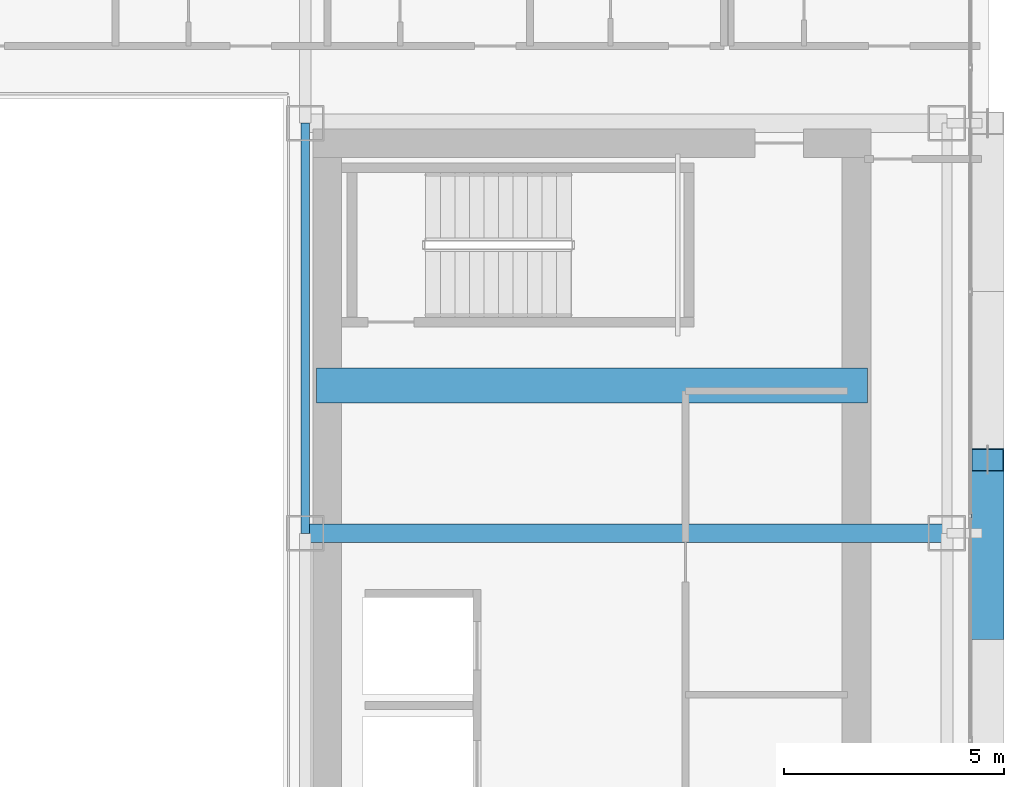
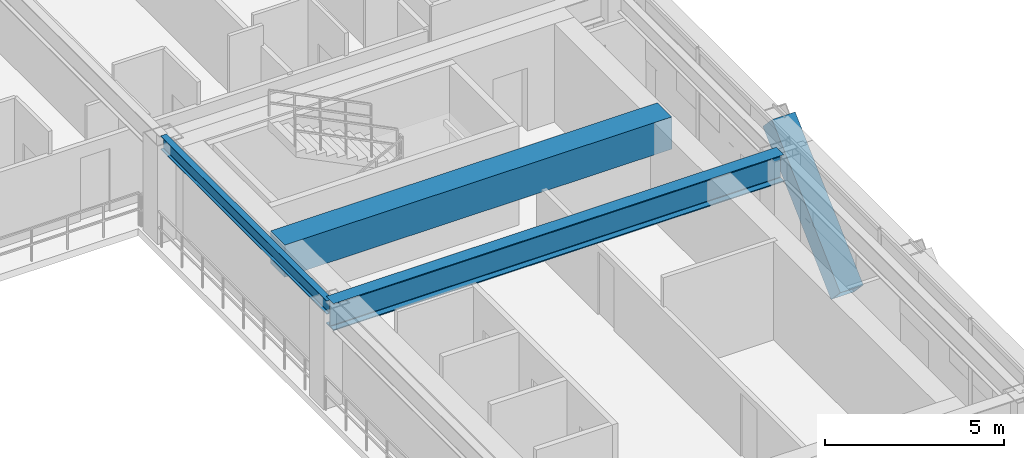
# One storey, part 14 of 35: 3 beams, 1 member.
"""IFC4 building model written with IfcOpenShell, lengths in metres."""

from ifc_helpers import new_model, si_unit, direction, frame, origin, origin_2d, place, context, subcontext, project, spatial, rectangle, hollow_rectangle, i_section, extrude, source, transform, mapped, material, material_profile, profile_set, type_object, element, save


model = new_model("IFC4")

# Units and contexts
model_context = context("Model", 3, precision=1e-05, world=origin(), true_north=direction((0.0, 1.0)))
body_context = subcontext(model_context, "Body", "Model", "MODEL_VIEW")
ifc_project = project(units=[si_unit("LENGTHUNIT", "METRE"), si_unit("AREAUNIT", "SQUARE_METRE"), si_unit("VOLUMEUNIT", "CUBIC_METRE"), si_unit("PLANEANGLEUNIT", "RADIAN"), si_unit("MASSUNIT", "GRAM", prefix="KILO")], contexts=[model_context])

# Site, building, storey
site_placement = place(None, origin())
site = spatial("IfcSite", under=ifc_project, at=site_placement, CompositionType="ELEMENT")
building_placement = place(site_placement, origin())
building = spatial("IfcBuilding", under=site, at=building_placement, Name="Ocotamira Hotel", CompositionType="ELEMENT")
storey_placement = place(building_placement, frame((0.0, 0.0, 100.800048828125)))
storey = spatial("IfcBuildingStorey", under=building, at=storey_placement, Name="L24", CompositionType="ELEMENT", Elevation=100.800048828125)

# Beams
ifc_material_1 = material(Name="Concrete C60/75", Category="concrete")
ifc_material_profile_1 = material_profile(ifc_material_1, rectangle(XDim=0.800048828125, YDim=1.10009765625, at=origin_2d()), Name="RC800X1100")
ifc_profile_set_1 = profile_set([ifc_material_profile_1], Name="Concrete C60/75")
beam_type_1 = type_object("IfcBeamType", Name="BM-LINK-RC800", PredefinedType="LINTEL", material=ifc_profile_set_1)
shared_shape_1 = source(origin(), body_context, "Body", "SweptSolid", [
    extrude(rectangle(XDim=0.800048828125, YDim=1.10009765625, at=origin_2d()), origin(), (0.0, 0.0, 1.0), 12.5),
])
beam_1_placement = place(storey_placement, frame((40.75, 31.5, 2.81005859375), z_axis=(1.0, 0.0, 0.0), x_axis=(0.0, 1.0, 0.0)))
element("IfcBeam", 1, at=beam_1_placement, inside=storey, type_object=beam_type_1, Name="L24 East Core Coupling Beam", PredefinedType="LINTEL", context=body_context, shape_type="MappedRepresentation", body=[
    mapped(shared_shape_1, transform((0.0, 0.0, 0.0), scale=1.0)),
])
ifc_material_2 = material(Name="Steel ASTM A992 Grade 50", Category="steel")
ifc_material_profile_2 = material_profile(ifc_material_2, i_section(OverallWidth=0.41796875, OverallDepth=0.927001953125, WebThickness=0.019287109375, FlangeThickness=0.031982421875, FilletRadius=0.02392578125, at=origin_2d()), Name="W36X231")
ifc_profile_set_2 = profile_set([ifc_material_profile_2], Name="Steel ASTM A992 Grade 50")
beam_type_2 = type_object("IfcBeamType", Name="BM-GIRD-W36X231", PredefinedType="BEAM", material=ifc_profile_set_2)
shared_shape_2 = source(origin(), body_context, "Body", "SweptSolid", [
    extrude(i_section(OverallWidth=0.41796875, OverallDepth=0.927001953125, WebThickness=0.019287109375, FlangeThickness=0.031982421875, FilletRadius=0.02392578125, at=origin_2d()), origin(), (0.0, 0.0, 1.0), 14.550048828125),
])
beam_2_placement = place(storey_placement, frame((40.5, 28.14990234375, 2.896484375), z_axis=(1.0, 0.0, 0.0), x_axis=(0.0, 1.0, 0.0)))
element("IfcBeam", 2, at=beam_2_placement, inside=storey, type_object=beam_type_2, Name="L24 Girder Y28.15 X40.5-55.05", PredefinedType="BEAM", context=body_context, shape_type="MappedRepresentation", body=[
    mapped(shared_shape_2, transform((0.0, 0.0, 0.0), scale=1.0)),
])
ifc_material_profile_3 = material_profile(ifc_material_2, i_section(OverallWidth=0.18994140625, OverallDepth=0.45703125, WebThickness=0.009033203125, FlangeThickness=0.014404296875, FilletRadius=0.010009765625, at=origin_2d()), Name="W18X50")
ifc_profile_set_3 = profile_set([ifc_material_profile_3], Name="Steel ASTM A992 Grade 50")
beam_type_3 = type_object("IfcBeamType", Name="BM-SEC-W18X50", PredefinedType="JOIST", material=ifc_profile_set_3)
shared_shape_3 = source(origin(), body_context, "Body", "SweptSolid", [
    extrude(i_section(OverallWidth=0.18994140625, OverallDepth=0.45703125, WebThickness=0.009033203125, FlangeThickness=0.014404296875, FilletRadius=0.010009765625, at=origin_2d()), origin(), (0.0, 0.0, 1.0), 9.300048828125),
])
beam_3_placement = place(storey_placement, frame((40.5, 28.14990234375, 3.13134765625), z_axis=(0.0, 1.0, 0.0), x_axis=(-1.0, 0.0, 0.0)))
element("IfcBeam", 3, at=beam_3_placement, inside=storey, type_object=beam_type_3, Name="L24 Beam X40.5 Y28.15-37.45", PredefinedType="JOIST", context=body_context, shape_type="MappedRepresentation", body=[
    mapped(shared_shape_3, transform((0.0, 0.0, 0.0), scale=1.0)),
])

# Member
ifc_material_3 = material(Name="Pale-metal coated steel ASTM A913 Grade 65", Category="steel")
ifc_material_profile_4 = material_profile(ifc_material_3, hollow_rectangle(XDim=0.75, YDim=0.75, WallThickness=0.028076171875, at=origin_2d()), Name="BOX750X750X28")
ifc_profile_set_4 = profile_set([ifc_material_profile_4], Name="Pale-metal coated steel ASTM A913 Grade 65")
member_type = type_object("IfcMemberType", Name="MEM-EXO-BOX750", PredefinedType="BRACE", material=ifc_profile_set_4)
shared_shape_4 = source(origin(), body_context, "Body", "SweptSolid", [
    extrude(hollow_rectangle(XDim=0.75, YDim=0.75, WallThickness=0.028076171875, at=origin_2d()), origin(), (0.0, 0.0, 1.0), 5.24658203125),
])
member_placement = place(storey_placement, frame((55.969970703125, 26.0, -0.489990234375), z_axis=(0.0, 0.72746596067, 0.686143772154), x_axis=(-1.0, 0.0, 0.0)))
element("IfcMember", 4, at=member_placement, inside=storey, type_object=member_type, Name="L24 Exoskeleton Diagrid E1.2", PredefinedType="BRACE", context=body_context, shape_type="MappedRepresentation", body=[
    mapped(shared_shape_4, transform((0.0, 0.0, 0.0), scale=1.0)),
])

save(model, "model.ifc")
